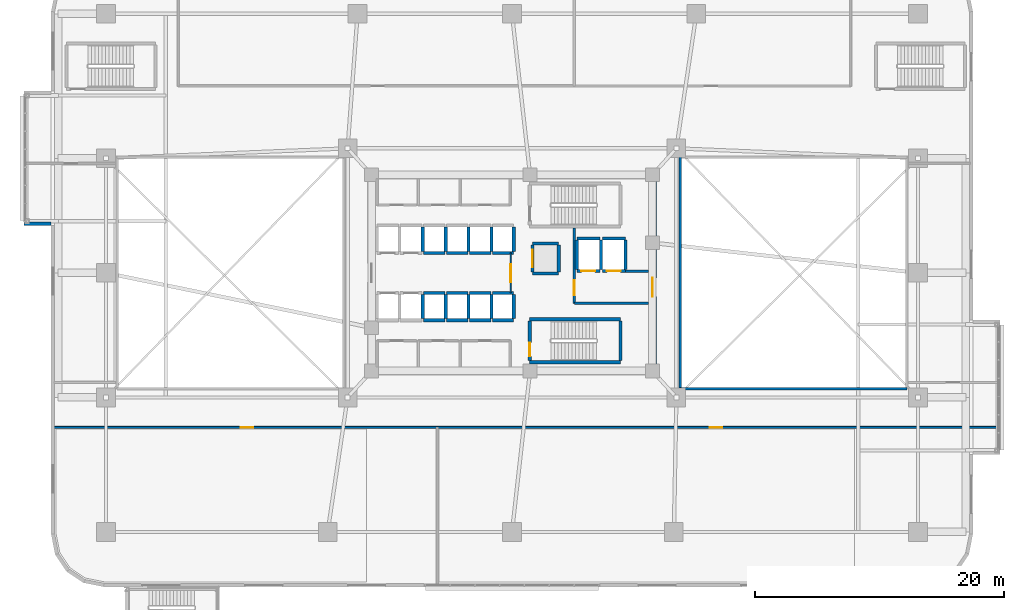
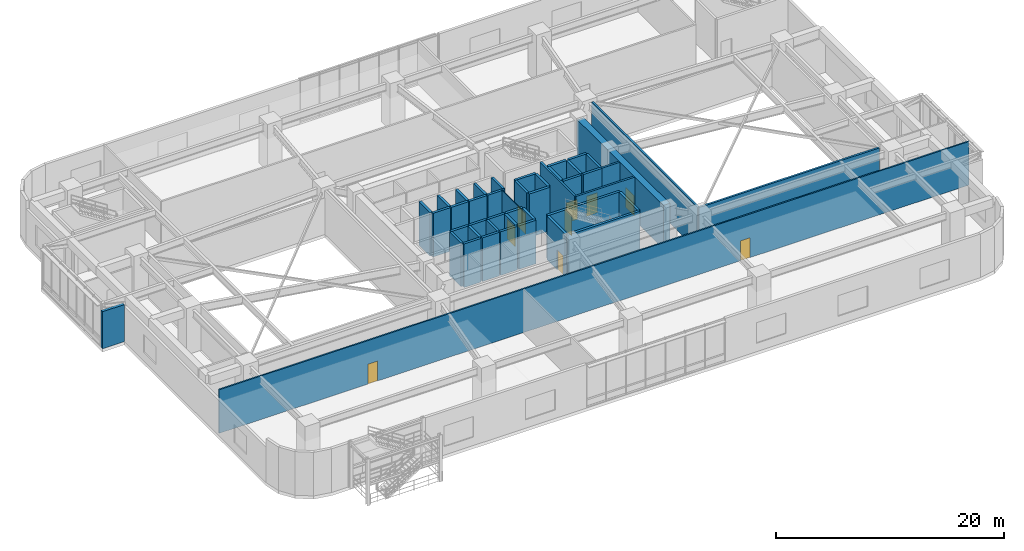
# One storey, part 16 of 24: 46 walls, 9 doors, 9 openings.
"""IFC4 building model written with IfcOpenShell, lengths in metres."""

from ifc_helpers import new_model, si_unit, direction, frame, frame_2d, origin, place, context, subcontext, project, spatial, rectangle, extrude, material, layer, layer_set, type_object, element, fill, save


model = new_model("IFC4")

# Units and contexts
model_context = context("Model", 3, precision=1e-05, world=origin(), true_north=direction((0.0, 1.0)))
body_context = subcontext(model_context, "Body", "Model", "MODEL_VIEW")
ifc_project = project(units=[si_unit("LENGTHUNIT", "METRE"), si_unit("AREAUNIT", "SQUARE_METRE"), si_unit("VOLUMEUNIT", "CUBIC_METRE"), si_unit("PLANEANGLEUNIT", "RADIAN"), si_unit("MASSUNIT", "GRAM", prefix="KILO")], contexts=[model_context])

# Site, building, storey
site_placement = place(None, origin())
site = spatial("IfcSite", under=ifc_project, at=site_placement, CompositionType="ELEMENT")
building_placement = place(site_placement, origin())
building = spatial("IfcBuilding", under=site, at=building_placement, Name="Zulverin Broadcast Headquarters", CompositionType="ELEMENT")
storey_placement = place(building_placement, frame((0.0, 0.0, 5.0)))
storey = spatial("IfcBuildingStorey", under=building, at=storey_placement, Name="L01", CompositionType="ELEMENT", Elevation=5.0)

# Walls
ifc_material_1 = material(Name="Acoustic drywall steel stud", Category="steel")
ifc_layer_1 = layer(ifc_material_1, 0.199951171875, Name="Acoustic drywall steel stud", Category="steel")
ifc_layer_set_1 = layer_set([ifc_layer_1], Name="Acoustic drywall steel stud")
wall_type_1 = type_object("IfcWallType", Name="WL-ACOU-200", PredefinedType="PARTITIONING", material=ifc_layer_set_1)
wall_1_placement = place(storey_placement, frame((50.5, 15.89990234375, 0.0), z_axis=(0.0, 0.0, 1.0), x_axis=(0.0, 1.0, 0.0)))
element("IfcWall", 1, at=wall_1_placement, inside=storey, type_object=wall_type_1, Name="L01 EAST Studio Void W Wall", PredefinedType="PARTITIONING", context=body_context, shape_type="SweptSolid", body=[
    extrude(rectangle(XDim=18.60009765625, YDim=0.199951171875, at=frame_2d((9.300048828125, 0.0))), origin(), (0.0, 0.0, 1.0), 4.659912109375),
])
wall_2_placement = place(storey_placement, frame((50.5, 15.89990234375, 0.0), z_axis=(0.0, 0.0, 1.0), x_axis=(1.0, 0.0, 0.0)))
element("IfcWall", 2, at=wall_2_placement, inside=storey, type_object=wall_type_1, Name="L01 EAST Studio Void S Wall", PredefinedType="PARTITIONING", context=body_context, shape_type="SweptSolid", body=[
    extrude(rectangle(XDim=18.199951171875, YDim=0.199951171875, at=frame_2d((9.10009765625, 0.0))), origin(), (0.0, 0.0, 1.0), 4.659912109375),
])

# Wall, opening, door
ifc_material_2 = material(Name="Concrete C60/75", Category="concrete")
ifc_layer_2 = layer(ifc_material_2, 0.64990234375, Name="Concrete C60/75", Category="concrete")
ifc_layer_set_2 = layer_set([ifc_layer_2], Name="Concrete C60/75")
wall_type_2 = type_object("IfcWallType", Name="WL-CORE-650", PredefinedType="SHEAR", material=ifc_layer_set_2)
wall_3_placement = place(storey_placement, frame((48.27490234375, 17.64990234375, 0.0), z_axis=(0.0, 0.0, 1.0), x_axis=(0.0, 1.0, 0.0)))
wall_3 = element("IfcWall", 3, at=wall_3_placement, inside=storey, type_object=wall_type_2, Name="L01 Core East Shear Wall", PredefinedType="SHEAR", context=body_context, shape_type="SweptSolid", body=[
    extrude(rectangle(XDim=15.10009765625, YDim=0.64990234375, at=frame_2d((7.550048828125, 0.0))), origin(), (0.0, 0.0, 1.0), 4.659912109375),
])
opening_1_placement = place(wall_3_placement, frame((5.64990234375, 0.0, 0.0)))
opening_1 = element("IfcOpeningElement", 4, at=opening_1_placement, cuts=wall_3, Name="Opening D-L01-CE1", PredefinedType="OPENING", context=body_context, shape_type="SweptSolid", body=[
    extrude(rectangle(XDim=1.5, YDim=2.14990234375, at=frame_2d((0.75, 1.074951171875))), frame((0.0, 0.3349609375, 0.0), z_axis=(0.0, -1.0, 0.0), x_axis=(1.0, 0.0, 0.0)), (0.0, 0.0, 1.0), 0.669921875),
])
ifc_material_3 = material(Name="Fire-rated glazed steel frame", Category="steel")
door_type_1 = type_object("IfcDoorType", Name="DR-COR-1500", OperationType="DOUBLE_DOOR_SINGLE_SWING", PredefinedType="DOOR", material=ifc_material_3)
door_1_placement = place(opening_1_placement, origin())
door_1 = element("IfcDoor", 5, at=door_1_placement, inside=storey, type_object=door_type_1, Name="L01 Firefighting Lobby East Corridor Door", OperationType="DOUBLE_DOOR_SINGLE_SWING", OverallHeight=2.14990234375, OverallWidth=1.5, PredefinedType="DOOR", context=body_context, shape_type="SweptSolid", body=[
    extrude(rectangle(XDim=1.5, YDim=2.14990234375, at=frame_2d((0.75, 1.074951171875))), frame((0.0, 0.02490234375, 0.0), z_axis=(0.0, -1.0, 0.0), x_axis=(1.0, 0.0, 0.0)), (0.0, 0.0, 1.0), 0.050048828125),
])
fill(opening_1, door_1)

# Wall
ifc_material_4 = material(Name="Insulated pale-metal clad concrete spandrel C40/50", Category="concrete")
ifc_layer_3 = layer(ifc_material_4, 0.280029296875, Name="Insulated pale-metal clad concrete spandrel C40/50", Category="concrete")
ifc_layer_set_3 = layer_set([ifc_layer_3], Name="Insulated pale-metal clad concrete spandrel C40/50")
wall_type_3 = type_object("IfcWallType", Name="WL-EXT-280", PredefinedType="STANDARD", material=ifc_layer_set_3)
wall_4_placement = place(storey_placement, frame((-2.199951171875, 29.139892578125, 0.0), z_axis=(0.0, 0.0, 1.0), x_axis=(1.0, 0.0, 0.0)))
element("IfcWall", 6, at=wall_4_placement, inside=storey, type_object=wall_type_3, Name="L01 Shifted Studio Box Cheek Wall SBOX_POD_LOWER_W1-S", PredefinedType="STANDARD", context=body_context, shape_type="SweptSolid", body=[
    extrude(rectangle(XDim=2.199951171875, YDim=0.280029296875, at=frame_2d((1.10009765625, 0.0))), origin(), (0.0, 0.0, 1.0), 3.967041015625),
])

# Wall, opening, door
ifc_material_5 = material(Name="Concrete C40/50", Category="concrete")
ifc_layer_4 = layer(ifc_material_5, 0.199951171875, Name="Concrete C40/50", Category="concrete")
ifc_layer_set_4 = layer_set([ifc_layer_4], Name="Concrete C40/50")
wall_type_4 = type_object("IfcWallType", Name="WL-FFL-200", PredefinedType="SOLIDWALL", material=ifc_layer_set_4)
wall_5_placement = place(storey_placement, frame((42.0, 22.75, 0.0), z_axis=(0.0, 0.0, 1.0), x_axis=(0.0, 1.0, 0.0)))
wall_5 = element("IfcWall", 7, at=wall_5_placement, inside=storey, type_object=wall_type_4, Name="L01 Firefighting Lift Lobby West Wall", PredefinedType="SOLIDWALL", context=body_context, shape_type="SweptSolid", body=[
    extrude(rectangle(XDim=6.050048828125, YDim=0.199951171875, at=frame_2d((3.02490234375, 0.0))), origin(), (0.0, 0.0, 1.0), 4.659912109375),
])
opening_2_placement = place(wall_5_placement, frame((0.64990234375, 0.0, 0.0)))
opening_2 = element("IfcOpeningElement", 8, at=opening_2_placement, cuts=wall_5, Name="Opening D-L01-FFLW", PredefinedType="OPENING", context=body_context, shape_type="SweptSolid", body=[
    extrude(rectangle(XDim=1.199951171875, YDim=2.14990234375, at=frame_2d((0.60009765625, 1.074951171875))), frame((0.0, 0.10986328125, 0.0), z_axis=(0.0, -1.0, 0.0), x_axis=(1.0, 0.0, 0.0)), (0.0, 0.0, 1.0), 0.219970703125),
])
ifc_material_6 = material(Name="Fire-rated steel leaf and frame", Category="steel")
door_type_2 = type_object("IfcDoorType", Name="DR-FFL-1200", OperationType="SINGLE_SWING_RIGHT", PredefinedType="DOOR", material=ifc_material_6)
door_2_placement = place(opening_2_placement, origin())
door_2 = element("IfcDoor", 9, at=door_2_placement, inside=storey, type_object=door_type_2, Name="L01 Firefighting Lift Lobby Door", OperationType="SINGLE_SWING_RIGHT", OverallHeight=2.14990234375, OverallWidth=1.199951171875, PredefinedType="DOOR", context=body_context, shape_type="SweptSolid", body=[
    extrude(rectangle(XDim=1.199951171875, YDim=2.14990234375, at=frame_2d((0.60009765625, 1.074951171875))), frame((0.0, 0.02490234375, 0.0), z_axis=(0.0, -1.0, 0.0), x_axis=(1.0, 0.0, 0.0)), (0.0, 0.0, 1.0), 0.050048828125),
])
fill(opening_2, door_2)

# Walls
wall_6_placement = place(storey_placement, frame((42.0, 22.75, 0.0), z_axis=(0.0, 0.0, 1.0), x_axis=(1.0, 0.0, 0.0)))
element("IfcWall", 10, at=wall_6_placement, inside=storey, type_object=wall_type_4, Name="L01 Firefighting Lift Lobby South Wall", PredefinedType="SOLIDWALL", context=body_context, shape_type="SweptSolid", body=[
    extrude(rectangle(XDim=5.949951171875, YDim=0.199951171875, at=frame_2d((2.97509765625, 0.0))), origin(), (0.0, 0.0, 1.0), 4.659912109375),
])
wall_7_placement = place(storey_placement, frame((46.10009765625, 25.35009765625, 0.0), z_axis=(0.0, 0.0, 1.0), x_axis=(1.0, 0.0, 0.0)))
element("IfcWall", 11, at=wall_7_placement, inside=storey, type_object=wall_type_4, Name="L01 Firefighting Lift Lobby North Wall", PredefinedType="SOLIDWALL", context=body_context, shape_type="SweptSolid", body=[
    extrude(rectangle(XDim=1.849853515625, YDim=0.199951171875, at=frame_2d((0.9248046875, 0.0))), origin(), (0.0, 0.0, 1.0), 4.659912109375),
])

# Wall, opening, door
ifc_material_7 = material(Name="Fire-rated acoustic laminated glass screen", Category="glass")
ifc_layer_5 = layer(ifc_material_7, 0.10009765625, Name="Fire-rated acoustic laminated glass screen", Category="glass")
ifc_layer_set_5 = layer_set([ifc_layer_5], Name="Fire-rated acoustic laminated glass screen")
wall_type_5 = type_object("IfcWallType", Name="WL-GLAZ-100", PredefinedType="PARTITIONING", material=ifc_layer_set_5)
wall_8_placement = place(storey_placement, frame((36.89990234375, 23.60009765625, 0.0), z_axis=(0.0, 0.0, 1.0), x_axis=(0.0, 1.0, 0.0)))
wall_8 = element("IfcWall", 12, at=wall_8_placement, inside=storey, type_object=wall_type_5, Name="L01 Core Goods & Stair Hall Screen", PredefinedType="PARTITIONING", context=body_context, shape_type="SweptSolid", body=[
    extrude(rectangle(XDim=3.199951171875, YDim=0.10009765625, at=frame_2d((1.60009765625, 0.0))), origin(), (0.0, 0.0, 1.0), 4.659912109375),
])
opening_3_placement = place(wall_8_placement, frame((0.85009765625, 0.0, 0.0)))
opening_3 = element("IfcOpeningElement", 13, at=opening_3_placement, cuts=wall_8, Name="Opening D-L01-CL3", PredefinedType="OPENING", context=body_context, shape_type="SweptSolid", body=[
    extrude(rectangle(XDim=1.449951171875, YDim=2.1201171875, at=frame_2d((0.72509765625, 1.06005859375))), frame((0.0, 0.06005859375, 0.0), z_axis=(0.0, -1.0, 0.0), x_axis=(1.0, 0.0, 0.0)), (0.0, 0.0, 1.0), 0.1201171875),
])
ifc_material_8 = material(Name="Fire-rated acoustic glazed double leaf", Category="glass")
door_type_3 = type_object("IfcDoorType", Name="DR-GLZ-1450", OperationType="DOUBLE_DOOR_SINGLE_SWING", PredefinedType="DOOR", material=ifc_material_8)
door_3_placement = place(opening_3_placement, origin())
door_3 = element("IfcDoor", 14, at=door_3_placement, inside=storey, type_object=door_type_3, Name="L01 Core Goods & Stair Hall Door", OperationType="DOUBLE_DOOR_SINGLE_SWING", OverallHeight=2.1201171875, OverallWidth=1.449951171875, PredefinedType="DOOR", context=body_context, shape_type="SweptSolid", body=[
    extrude(rectangle(XDim=1.449951171875, YDim=2.1201171875, at=frame_2d((0.72509765625, 1.06005859375))), frame((0.0, 0.02490234375, 0.0), z_axis=(0.0, -1.0, 0.0), x_axis=(1.0, 0.0, 0.0)), (0.0, 0.0, 1.0), 0.050048828125),
])
fill(opening_3, door_3)

# Wall, openings, doors
ifc_material_9 = material(Name="Fire-rated gypsum stud partition", Category="gypsum")
ifc_layer_6 = layer(ifc_material_9, 0.14990234375, Name="Fire-rated gypsum stud partition", Category="gypsum")
ifc_layer_set_6 = layer_set([ifc_layer_6], Name="Fire-rated gypsum stud partition")
wall_type_6 = type_object("IfcWallType", Name="WL-PART-150", PredefinedType="PARTITIONING", material=ifc_layer_set_6)
wall_9_placement = place(storey_placement, frame((0.205078125, 12.800048828125, 0.0), z_axis=(0.0, 0.0, 1.0), x_axis=(1.0, 0.0, 0.0)))
wall_9 = element("IfcWall", 15, at=wall_9_placement, inside=storey, type_object=wall_type_6, Name="L01 Gallery Partition Wall CG-07", PredefinedType="PARTITIONING", context=body_context, shape_type="SweptSolid", body=[
    extrude(rectangle(XDim=75.7900390625, YDim=0.14990234375, at=frame_2d((37.89501953125, 0.0))), origin(), (0.0, 0.0, 1.0), 4.659912109375),
])
opening_4_placement = place(wall_9_placement, frame((15.017578125, 0.0, 0.0)))
opening_4 = element("IfcOpeningElement", 16, at=opening_4_placement, cuts=wall_9, Name="Opening D-L01-SOUTH1", PredefinedType="OPENING", context=body_context, shape_type="SweptSolid", body=[
    extrude(rectangle(XDim=1.0, YDim=2.1201171875, at=frame_2d((0.5, 1.06005859375))), frame((0.0, 0.0849609375, 0.0), z_axis=(0.0, -1.0, 0.0), x_axis=(1.0, 0.0, 0.0)), (0.0, 0.0, 1.0), 0.169921875),
])
opening_5_placement = place(wall_9_placement, frame((52.672607421875, 0.0, 0.0)))
opening_5 = element("IfcOpeningElement", 17, at=opening_5_placement, cuts=wall_9, Name="Opening D-L01-SOUTH2", PredefinedType="OPENING", context=body_context, shape_type="SweptSolid", body=[
    extrude(rectangle(XDim=1.0, YDim=2.1201171875, at=frame_2d((0.5, 1.06005859375))), frame((0.0, 0.0849609375, 0.0), z_axis=(0.0, -1.0, 0.0), x_axis=(1.0, 0.0, 0.0)), (0.0, 0.0, 1.0), 0.169921875),
])
ifc_material_10 = material(Name="Hardwood veneer acoustic leaf", Category="wood")
door_type_4 = type_object("IfcDoorType", Name="DR-OFF-1000", OperationType="SINGLE_SWING_LEFT", PredefinedType="DOOR", material=ifc_material_10)
door_4_placement = place(opening_4_placement, origin())
door_4 = element("IfcDoor", 18, at=door_4_placement, inside=storey, type_object=door_type_4, Name="L01 Post-Production Editing Suite Door", OperationType="SINGLE_SWING_RIGHT", OverallHeight=2.1201171875, OverallWidth=1.0, PredefinedType="DOOR", context=body_context, shape_type="SweptSolid", body=[
    extrude(rectangle(XDim=1.0, YDim=2.1201171875, at=frame_2d((0.5, 1.06005859375))), frame((0.0, 0.02490234375, 0.0), z_axis=(0.0, -1.0, 0.0), x_axis=(1.0, 0.0, 0.0)), (0.0, 0.0, 1.0), 0.050048828125),
])
fill(opening_4, door_4)
door_5_placement = place(opening_5_placement, origin())
door_5 = element("IfcDoor", 19, at=door_5_placement, inside=storey, type_object=door_type_4, Name="L01 Master Control & Sound Mixing Room Door", OperationType="SINGLE_SWING_LEFT", OverallHeight=2.1201171875, OverallWidth=1.0, PredefinedType="DOOR", context=body_context, shape_type="SweptSolid", body=[
    extrude(rectangle(XDim=1.0, YDim=2.1201171875, at=frame_2d((0.5, 1.06005859375))), frame((0.0, 0.02490234375, 0.0), z_axis=(0.0, -1.0, 0.0), x_axis=(1.0, 0.0, 0.0)), (0.0, 0.0, 1.0), 0.050048828125),
])
fill(opening_5, door_5)

# Walls
ifc_material_11 = material(Name="Concrete C50/60", Category="concrete")
ifc_layer_7 = layer(ifc_material_11, 0.25, Name="Concrete C50/60", Category="concrete")
ifc_layer_set_7 = layer_set([ifc_layer_7], Name="Concrete C50/60")
wall_type_7 = type_object("IfcWallType", Name="WL-SHAFT-250", PredefinedType="SHEAR", material=ifc_layer_set_7)
for number, where, z_axis, x_axis, name in (
    (20, (38.425048828125, 18.02490234375, 0.0), (0.0, 0.0, 1.0), (1.0, 0.0, 0.0), "L01 ST-2 Enclosure Wall S"),
    (21, (38.425048828125, 21.47509765625, 0.0), (0.0, 0.0, 1.0), (1.0, 0.0, 0.0), "L01 ST-2 Enclosure Wall N"),
):
    element("IfcWall", number, at=place(storey_placement, frame(where, z_axis=z_axis, x_axis=x_axis)), inside=storey, type_object=wall_type_7, Name=name, PredefinedType="SHEAR", context=body_context, shape_type="SweptSolid", body=[
        extrude(rectangle(XDim=7.300048828125, YDim=0.25, at=frame_2d((3.64990234375, 0.0))), origin(), (0.0, 0.0, 1.0), 4.659912109375),
    ])

# Wall, opening, door
wall_10_placement = place(storey_placement, frame((38.425048828125, 18.14990234375, 0.0), z_axis=(0.0, 0.0, 1.0), x_axis=(0.0, 1.0, 0.0)))
wall_10 = element("IfcWall", 22, at=wall_10_placement, inside=storey, type_object=wall_type_7, Name="L01 ST-2 Enclosure Wall W", PredefinedType="SHEAR", context=body_context, shape_type="SweptSolid", body=[
    extrude(rectangle(XDim=3.2001953125, YDim=0.25, at=frame_2d((1.60009765625, 0.0))), origin(), (0.0, 0.0, 1.0), 4.659912109375),
])
opening_6_placement = place(wall_10_placement, frame((0.35009765625, 0.0, 0.0)))
opening_6 = element("IfcOpeningElement", 23, at=opening_6_placement, cuts=wall_10, Name="Opening D-L01-ST-2", PredefinedType="OPENING", context=body_context, shape_type="SweptSolid", body=[
    extrude(rectangle(XDim=1.10009765625, YDim=2.14990234375, at=frame_2d((0.550048828125, 1.074951171875))), frame((0.0, 0.135009765625, 0.0), z_axis=(0.0, -1.0, 0.0), x_axis=(1.0, 0.0, 0.0)), (0.0, 0.0, 1.0), 0.27001953125),
])
door_type_5 = type_object("IfcDoorType", Name="DR-STAIR-1100", OperationType="SINGLE_SWING_LEFT", PredefinedType="DOOR", material=ifc_material_6)
door_6_placement = place(opening_6_placement, origin())
door_6 = element("IfcDoor", 24, at=door_6_placement, inside=storey, type_object=door_type_5, Name="L01 Exit Stair ST-2 Fire Door", OperationType="SINGLE_SWING_RIGHT", OverallHeight=2.14990234375, OverallWidth=1.10009765625, PredefinedType="DOOR", context=body_context, shape_type="SweptSolid", body=[
    extrude(rectangle(XDim=1.10009765625, YDim=2.14990234375, at=frame_2d((0.550048828125, 1.074951171875))), frame((0.0, 0.02490234375, 0.0), z_axis=(0.0, -1.0, 0.0), x_axis=(1.0, 0.0, 0.0)), (0.0, 0.0, 1.0), 0.050048828125),
])
fill(opening_6, door_6)

# Walls
wall_11_placement = place(storey_placement, frame((45.72509765625, 18.14990234375, 0.0), z_axis=(0.0, 0.0, 1.0), x_axis=(0.0, 1.0, 0.0)))
element("IfcWall", 25, at=wall_11_placement, inside=storey, type_object=wall_type_7, Name="L01 ST-2 Enclosure Wall E", PredefinedType="SHEAR", context=body_context, shape_type="SweptSolid", body=[
    extrude(rectangle(XDim=3.2001953125, YDim=0.25, at=frame_2d((1.60009765625, 0.0))), origin(), (0.0, 0.0, 1.0), 4.659912109375),
])
for number, where, z_axis, x_axis, name in (
    (26, (29.8349609375, 26.919921875, 0.0), (0.0, 0.0, 1.0), (0.0, 1.0, 0.0), "L01 Lift PL-L2 Shaft Wall E"),
    (27, (29.8349609375, 21.52001953125, 0.0), (0.0, 0.0, 1.0), (0.0, 1.0, 0.0), "L01 Lift PL-L4 Shaft Wall E"),
):
    element("IfcWall", number, at=place(storey_placement, frame(where, z_axis=z_axis, x_axis=x_axis)), inside=storey, type_object=wall_type_7, Name=name, PredefinedType="SHEAR", context=body_context, shape_type="SweptSolid", body=[
        extrude(rectangle(XDim=1.9599609375, YDim=0.25, at=frame_2d((0.97998046875, 0.0))), origin(), (0.0, 0.0, 1.0), 4.659912109375),
    ])
for number, where, z_axis, x_axis, name in (
    (28, (29.89990234375, 21.39990234375, 0.0), (0.0, 0.0, 1.0), (1.0, 0.0, 0.0), "L01 Lift PL-M1 Shaft Wall S"),
    (29, (29.89990234375, 23.60009765625, 0.0), (0.0, 0.0, 1.0), (1.0, 0.0, 0.0), "L01 Lift PL-M1 Shaft Wall N"),
):
    element("IfcWall", number, at=place(storey_placement, frame(where, z_axis=z_axis, x_axis=x_axis)), inside=storey, type_object=wall_type_7, Name=name, PredefinedType="SHEAR", context=body_context, shape_type="SweptSolid", body=[
        extrude(rectangle(XDim=1.72021484375, YDim=0.25, at=frame_2d((0.860107421875, 0.0))), origin(), (0.0, 0.0, 1.0), 4.659912109375),
    ])
wall_12_placement = place(storey_placement, frame((31.679931640625, 21.52001953125, 0.0), z_axis=(0.0, 0.0, 1.0), x_axis=(0.0, 1.0, 0.0)))
element("IfcWall", 30, at=wall_12_placement, inside=storey, type_object=wall_type_7, Name="L01 Lift PL-M1 Shaft Wall E", PredefinedType="SHEAR", context=body_context, shape_type="SweptSolid", body=[
    extrude(rectangle(XDim=1.9599609375, YDim=0.25, at=frame_2d((0.97998046875, 0.0))), origin(), (0.0, 0.0, 1.0), 4.659912109375),
])
for number, where, z_axis, x_axis, name in (
    (31, (31.739990234375, 21.39990234375, 0.0), (0.0, 0.0, 1.0), (1.0, 0.0, 0.0), "L01 Lift PL-M2 Shaft Wall S"),
    (32, (31.739990234375, 23.60009765625, 0.0), (0.0, 0.0, 1.0), (1.0, 0.0, 0.0), "L01 Lift PL-M2 Shaft Wall N"),
):
    element("IfcWall", number, at=place(storey_placement, frame(where, z_axis=z_axis, x_axis=x_axis)), inside=storey, type_object=wall_type_7, Name=name, PredefinedType="SHEAR", context=body_context, shape_type="SweptSolid", body=[
        extrude(rectangle(XDim=1.719970703125, YDim=0.25, at=frame_2d((0.85986328125, 0.0))), origin(), (0.0, 0.0, 1.0), 4.659912109375),
    ])
wall_13_placement = place(storey_placement, frame((33.52001953125, 21.52001953125, 0.0), z_axis=(0.0, 0.0, 1.0), x_axis=(0.0, 1.0, 0.0)))
element("IfcWall", 33, at=wall_13_placement, inside=storey, type_object=wall_type_7, Name="L01 Lift PL-M2 Shaft Wall E", PredefinedType="SHEAR", context=body_context, shape_type="SweptSolid", body=[
    extrude(rectangle(XDim=1.9599609375, YDim=0.25, at=frame_2d((0.97998046875, 0.0))), origin(), (0.0, 0.0, 1.0), 4.659912109375),
])
for number, where, z_axis, x_axis, name in (
    (34, (33.580078125, 21.39990234375, 0.0), (0.0, 0.0, 1.0), (1.0, 0.0, 0.0), "L01 Lift PL-M3 Shaft Wall S"),
    (35, (33.580078125, 23.60009765625, 0.0), (0.0, 0.0, 1.0), (1.0, 0.0, 0.0), "L01 Lift PL-M3 Shaft Wall N"),
):
    element("IfcWall", number, at=place(storey_placement, frame(where, z_axis=z_axis, x_axis=x_axis)), inside=storey, type_object=wall_type_7, Name=name, PredefinedType="SHEAR", context=body_context, shape_type="SweptSolid", body=[
        extrude(rectangle(XDim=1.719970703125, YDim=0.25, at=frame_2d((0.85986328125, 0.0))), origin(), (0.0, 0.0, 1.0), 4.659912109375),
    ])
wall_14_placement = place(storey_placement, frame((35.360107421875, 21.52001953125, 0.0), z_axis=(0.0, 0.0, 1.0), x_axis=(0.0, 1.0, 0.0)))
element("IfcWall", 36, at=wall_14_placement, inside=storey, type_object=wall_type_7, Name="L01 Lift PL-M3 Shaft Wall E", PredefinedType="SHEAR", context=body_context, shape_type="SweptSolid", body=[
    extrude(rectangle(XDim=1.9599609375, YDim=0.25, at=frame_2d((0.97998046875, 0.0))), origin(), (0.0, 0.0, 1.0), 4.659912109375),
])
for number, where, z_axis, x_axis, name in (
    (37, (35.419921875, 21.39990234375, 0.0), (0.0, 0.0, 1.0), (1.0, 0.0, 0.0), "L01 Lift PL-M4 Shaft Wall S"),
    (38, (35.419921875, 23.60009765625, 0.0), (0.0, 0.0, 1.0), (1.0, 0.0, 0.0), "L01 Lift PL-M4 Shaft Wall N"),
):
    element("IfcWall", number, at=place(storey_placement, frame(where, z_axis=z_axis, x_axis=x_axis)), inside=storey, type_object=wall_type_7, Name=name, PredefinedType="SHEAR", context=body_context, shape_type="SweptSolid", body=[
        extrude(rectangle(XDim=1.719970703125, YDim=0.25, at=frame_2d((0.85986328125, 0.0))), origin(), (0.0, 0.0, 1.0), 4.659912109375),
    ])
wall_15_placement = place(storey_placement, frame((37.139892578125, 21.52001953125, 0.0), z_axis=(0.0, 0.0, 1.0), x_axis=(0.0, 1.0, 0.0)))
element("IfcWall", 39, at=wall_15_placement, inside=storey, type_object=wall_type_7, Name="L01 Lift PL-M4 Shaft Wall E", PredefinedType="SHEAR", context=body_context, shape_type="SweptSolid", body=[
    extrude(rectangle(XDim=1.9599609375, YDim=0.25, at=frame_2d((0.97998046875, 0.0))), origin(), (0.0, 0.0, 1.0), 4.659912109375),
])
wall_16_placement = place(storey_placement, frame((29.89990234375, 26.800048828125, 0.0), z_axis=(0.0, 0.0, 1.0), x_axis=(1.0, 0.0, 0.0)))
element("IfcWall", 40, at=wall_16_placement, inside=storey, type_object=wall_type_7, Name="L01 Lift PL-H1 Shaft Wall S", PredefinedType="SHEAR", context=body_context, shape_type="SweptSolid", body=[
    extrude(rectangle(XDim=1.72021484375, YDim=0.25, at=frame_2d((0.860107421875, 0.0))), origin(), (0.0, 0.0, 1.0), 4.659912109375),
])
wall_17_placement = place(storey_placement, frame((31.679931640625, 26.919921875, 0.0), z_axis=(0.0, 0.0, 1.0), x_axis=(0.0, 1.0, 0.0)))
element("IfcWall", 41, at=wall_17_placement, inside=storey, type_object=wall_type_7, Name="L01 Lift PL-H1 Shaft Wall E", PredefinedType="SHEAR", context=body_context, shape_type="SweptSolid", body=[
    extrude(rectangle(XDim=1.9599609375, YDim=0.25, at=frame_2d((0.97998046875, 0.0))), origin(), (0.0, 0.0, 1.0), 4.659912109375),
])
wall_18_placement = place(storey_placement, frame((31.739990234375, 26.800048828125, 0.0), z_axis=(0.0, 0.0, 1.0), x_axis=(1.0, 0.0, 0.0)))
element("IfcWall", 42, at=wall_18_placement, inside=storey, type_object=wall_type_7, Name="L01 Lift PL-H2 Shaft Wall S", PredefinedType="SHEAR", context=body_context, shape_type="SweptSolid", body=[
    extrude(rectangle(XDim=1.719970703125, YDim=0.25, at=frame_2d((0.85986328125, 0.0))), origin(), (0.0, 0.0, 1.0), 4.659912109375),
])
wall_19_placement = place(storey_placement, frame((33.52001953125, 26.919921875, 0.0), z_axis=(0.0, 0.0, 1.0), x_axis=(0.0, 1.0, 0.0)))
element("IfcWall", 43, at=wall_19_placement, inside=storey, type_object=wall_type_7, Name="L01 Lift PL-H2 Shaft Wall E", PredefinedType="SHEAR", context=body_context, shape_type="SweptSolid", body=[
    extrude(rectangle(XDim=1.9599609375, YDim=0.25, at=frame_2d((0.97998046875, 0.0))), origin(), (0.0, 0.0, 1.0), 4.659912109375),
])
wall_20_placement = place(storey_placement, frame((33.580078125, 26.800048828125, 0.0), z_axis=(0.0, 0.0, 1.0), x_axis=(1.0, 0.0, 0.0)))
element("IfcWall", 44, at=wall_20_placement, inside=storey, type_object=wall_type_7, Name="L01 Lift PL-H3 Shaft Wall S", PredefinedType="SHEAR", context=body_context, shape_type="SweptSolid", body=[
    extrude(rectangle(XDim=1.719970703125, YDim=0.25, at=frame_2d((0.85986328125, 0.0))), origin(), (0.0, 0.0, 1.0), 4.659912109375),
])
wall_21_placement = place(storey_placement, frame((35.360107421875, 26.919921875, 0.0), z_axis=(0.0, 0.0, 1.0), x_axis=(0.0, 1.0, 0.0)))
element("IfcWall", 45, at=wall_21_placement, inside=storey, type_object=wall_type_7, Name="L01 Lift PL-H3 Shaft Wall E", PredefinedType="SHEAR", context=body_context, shape_type="SweptSolid", body=[
    extrude(rectangle(XDim=1.9599609375, YDim=0.25, at=frame_2d((0.97998046875, 0.0))), origin(), (0.0, 0.0, 1.0), 4.659912109375),
])
wall_22_placement = place(storey_placement, frame((35.419921875, 26.800048828125, 0.0), z_axis=(0.0, 0.0, 1.0), x_axis=(1.0, 0.0, 0.0)))
element("IfcWall", 46, at=wall_22_placement, inside=storey, type_object=wall_type_7, Name="L01 Lift PL-H4 Shaft Wall S", PredefinedType="SHEAR", context=body_context, shape_type="SweptSolid", body=[
    extrude(rectangle(XDim=1.719970703125, YDim=0.25, at=frame_2d((0.85986328125, 0.0))), origin(), (0.0, 0.0, 1.0), 4.659912109375),
])
wall_23_placement = place(storey_placement, frame((37.139892578125, 26.919921875, 0.0), z_axis=(0.0, 0.0, 1.0), x_axis=(0.0, 1.0, 0.0)))
element("IfcWall", 47, at=wall_23_placement, inside=storey, type_object=wall_type_7, Name="L01 Lift PL-H4 Shaft Wall E", PredefinedType="SHEAR", context=body_context, shape_type="SweptSolid", body=[
    extrude(rectangle(XDim=1.9599609375, YDim=0.25, at=frame_2d((0.97998046875, 0.0))), origin(), (0.0, 0.0, 1.0), 4.659912109375),
])

# Wall, opening, door
wall_24_placement = place(storey_placement, frame((42.199951171875, 25.35009765625, 0.0), z_axis=(0.0, 0.0, 1.0), x_axis=(1.0, 0.0, 0.0)))
wall_24 = element("IfcWall", 48, at=wall_24_placement, inside=storey, type_object=wall_type_7, Name="L01 Lift FFL-1 Shaft Wall S", PredefinedType="SHEAR", context=body_context, shape_type="SweptSolid", body=[
    extrude(rectangle(XDim=1.85009765625, YDim=0.25, at=frame_2d((0.925048828125, 0.0))), origin(), (0.0, 0.0, 1.0), 4.659912109375),
])
opening_7_placement = place(wall_24_placement, frame((0.375, 0.0, 0.0)))
opening_7 = element("IfcOpeningElement", 49, at=opening_7_placement, cuts=wall_24, Name="Opening LD-FFL-1-L01", PredefinedType="OPENING", context=body_context, shape_type="SweptSolid", body=[
    extrude(rectangle(XDim=1.10009765625, YDim=2.14990234375, at=frame_2d((0.550048828125, 1.074951171875))), frame((0.0, 0.135009765625, 0.0), z_axis=(0.0, -1.0, 0.0), x_axis=(1.0, 0.0, 0.0)), (0.0, 0.0, 1.0), 0.27001953125),
])
ifc_material_12 = material(Name="Fire-rated stainless landing door", Category="steel")
door_type_6 = type_object("IfcDoorType", Name="LD-FFL-1100", OperationType="DOUBLE_DOOR_SLIDING", PredefinedType="DOOR", material=ifc_material_12)
door_7_placement = place(opening_7_placement, origin())
door_7 = element("IfcDoor", 50, at=door_7_placement, inside=storey, type_object=door_type_6, Name="L01 Lift FFL-1 Sliding Landing Door", OperationType="DOUBLE_DOOR_SLIDING", OverallHeight=2.14990234375, OverallWidth=1.10009765625, PredefinedType="DOOR", context=body_context, shape_type="SweptSolid", body=[
    extrude(rectangle(XDim=1.10009765625, YDim=2.14990234375, at=frame_2d((0.550048828125, 1.074951171875))), frame((0.0, 0.02490234375, 0.0), z_axis=(0.0, -1.0, 0.0), x_axis=(1.0, 0.0, 0.0)), (0.0, 0.0, 1.0), 0.050048828125),
])
fill(opening_7, door_7)

# Walls
wall_25_placement = place(storey_placement, frame((42.199951171875, 27.949951171875, 0.0), z_axis=(0.0, 0.0, 1.0), x_axis=(1.0, 0.0, 0.0)))
element("IfcWall", 51, at=wall_25_placement, inside=storey, type_object=wall_type_7, Name="L01 Lift FFL-1 Shaft Wall N", PredefinedType="SHEAR", context=body_context, shape_type="SweptSolid", body=[
    extrude(rectangle(XDim=1.85009765625, YDim=0.25, at=frame_2d((0.925048828125, 0.0))), origin(), (0.0, 0.0, 1.0), 4.659912109375),
])
for number, where, z_axis, x_axis, name in (
    (52, (42.199951171875, 25.469970703125, 0.0), (0.0, 0.0, 1.0), (0.0, 1.0, 0.0), "L01 Lift FFL-1 Shaft Wall W"),
    (53, (44.14990234375, 25.469970703125, 0.0), (0.0, 0.0, 1.0), (0.0, 1.0, 0.0), "L01 Lift FFL-1 Shaft Wall E"),
):
    element("IfcWall", number, at=place(storey_placement, frame(where, z_axis=z_axis, x_axis=x_axis)), inside=storey, type_object=wall_type_7, Name=name, PredefinedType="SHEAR", context=body_context, shape_type="SweptSolid", body=[
        extrude(rectangle(XDim=2.360107421875, YDim=0.25, at=frame_2d((1.18017578125, 0.0))), origin(), (0.0, 0.0, 1.0), 4.659912109375),
    ])

# Wall, opening, door
wall_26_placement = place(storey_placement, frame((44.25, 25.35009765625, 0.0), z_axis=(0.0, 0.0, 1.0), x_axis=(1.0, 0.0, 0.0)))
wall_26 = element("IfcWall", 54, at=wall_26_placement, inside=storey, type_object=wall_type_7, Name="L01 Lift FFL-2 Shaft Wall S", PredefinedType="SHEAR", context=body_context, shape_type="SweptSolid", body=[
    extrude(rectangle(XDim=1.85009765625, YDim=0.25, at=frame_2d((0.925048828125, 0.0))), origin(), (0.0, 0.0, 1.0), 4.659912109375),
])
opening_8_placement = place(wall_26_placement, frame((0.375, 0.0, 0.0)))
opening_8 = element("IfcOpeningElement", 55, at=opening_8_placement, cuts=wall_26, Name="Opening LD-FFL-2-L01", PredefinedType="OPENING", context=body_context, shape_type="SweptSolid", body=[
    extrude(rectangle(XDim=1.10009765625, YDim=2.14990234375, at=frame_2d((0.550048828125, 1.074951171875))), frame((0.0, 0.135009765625, 0.0), z_axis=(0.0, -1.0, 0.0), x_axis=(1.0, 0.0, 0.0)), (0.0, 0.0, 1.0), 0.27001953125),
])
door_8_placement = place(opening_8_placement, origin())
door_8 = element("IfcDoor", 56, at=door_8_placement, inside=storey, type_object=door_type_6, Name="L01 Lift FFL-2 Sliding Landing Door", OperationType="DOUBLE_DOOR_SLIDING", OverallHeight=2.14990234375, OverallWidth=1.10009765625, PredefinedType="DOOR", context=body_context, shape_type="SweptSolid", body=[
    extrude(rectangle(XDim=1.10009765625, YDim=2.14990234375, at=frame_2d((0.550048828125, 1.074951171875))), frame((0.0, 0.02490234375, 0.0), z_axis=(0.0, -1.0, 0.0), x_axis=(1.0, 0.0, 0.0)), (0.0, 0.0, 1.0), 0.050048828125),
])
fill(opening_8, door_8)

# Walls
wall_27_placement = place(storey_placement, frame((44.25, 27.949951171875, 0.0), z_axis=(0.0, 0.0, 1.0), x_axis=(1.0, 0.0, 0.0)))
element("IfcWall", 57, at=wall_27_placement, inside=storey, type_object=wall_type_7, Name="L01 Lift FFL-2 Shaft Wall N", PredefinedType="SHEAR", context=body_context, shape_type="SweptSolid", body=[
    extrude(rectangle(XDim=1.85009765625, YDim=0.25, at=frame_2d((0.925048828125, 0.0))), origin(), (0.0, 0.0, 1.0), 4.659912109375),
])
wall_28_placement = place(storey_placement, frame((46.10009765625, 25.469970703125, 0.0), z_axis=(0.0, 0.0, 1.0), x_axis=(0.0, 1.0, 0.0)))
element("IfcWall", 58, at=wall_28_placement, inside=storey, type_object=wall_type_7, Name="L01 Lift FFL-2 Shaft Wall E", PredefinedType="SHEAR", context=body_context, shape_type="SweptSolid", body=[
    extrude(rectangle(XDim=2.360107421875, YDim=0.25, at=frame_2d((1.18017578125, 0.0))), origin(), (0.0, 0.0, 1.0), 4.659912109375),
])
for number, where, z_axis, x_axis, name in (
    (59, (38.64990234375, 25.14990234375, 0.0), (0.0, 0.0, 1.0), (1.0, 0.0, 0.0), "L01 Lift SVL-1 Shaft Wall S"),
    (60, (38.64990234375, 27.550048828125, 0.0), (0.0, 0.0, 1.0), (1.0, 0.0, 0.0), "L01 Lift SVL-1 Shaft Wall N"),
):
    element("IfcWall", number, at=place(storey_placement, frame(where, z_axis=z_axis, x_axis=x_axis)), inside=storey, type_object=wall_type_7, Name=name, PredefinedType="SHEAR", context=body_context, shape_type="SweptSolid", body=[
        extrude(rectangle(XDim=2.10009765625, YDim=0.25, at=frame_2d((1.050048828125, 0.0))), origin(), (0.0, 0.0, 1.0), 4.659912109375),
    ])

# Wall, opening, door
wall_29_placement = place(storey_placement, frame((38.64990234375, 25.27001953125, 0.0), z_axis=(0.0, 0.0, 1.0), x_axis=(0.0, 1.0, 0.0)))
wall_29 = element("IfcWall", 61, at=wall_29_placement, inside=storey, type_object=wall_type_7, Name="L01 Lift SVL-1 Shaft Wall W", PredefinedType="SHEAR", context=body_context, shape_type="SweptSolid", body=[
    extrude(rectangle(XDim=2.159912109375, YDim=0.25, at=frame_2d((1.080078125, 0.0))), origin(), (0.0, 0.0, 1.0), 4.659912109375),
])
opening_9_placement = place(wall_29_placement, frame((0.3798828125, 0.0, 0.0)))
opening_9 = element("IfcOpeningElement", 62, at=opening_9_placement, cuts=wall_29, Name="Opening LD-SVL-1-L01", PredefinedType="OPENING", context=body_context, shape_type="SweptSolid", body=[
    extrude(rectangle(XDim=1.39990234375, YDim=2.199951171875, at=frame_2d((0.699951171875, 1.10009765625))), frame((0.0, 0.135009765625, 0.0), z_axis=(0.0, -1.0, 0.0), x_axis=(1.0, 0.0, 0.0)), (0.0, 0.0, 1.0), 0.27001953125),
])
ifc_material_13 = material(Name="Heavy-duty stainless landing door", Category="steel")
door_type_7 = type_object("IfcDoorType", Name="LD-GOODS-1400", OperationType="DOUBLE_DOOR_SLIDING", PredefinedType="DOOR", material=ifc_material_13)
door_9_placement = place(opening_9_placement, origin())
door_9 = element("IfcDoor", 63, at=door_9_placement, inside=storey, type_object=door_type_7, Name="L01 Lift SVL-1 Sliding Landing Door", OperationType="DOUBLE_DOOR_SLIDING", OverallHeight=2.199951171875, OverallWidth=1.39990234375, PredefinedType="DOOR", context=body_context, shape_type="SweptSolid", body=[
    extrude(rectangle(XDim=1.39990234375, YDim=2.199951171875, at=frame_2d((0.699951171875, 1.10009765625))), frame((0.0, 0.02490234375, 0.0), z_axis=(0.0, -1.0, 0.0), x_axis=(1.0, 0.0, 0.0)), (0.0, 0.0, 1.0), 0.050048828125),
])
fill(opening_9, door_9)

# Wall
wall_30_placement = place(storey_placement, frame((40.75, 25.27001953125, 0.0), z_axis=(0.0, 0.0, 1.0), x_axis=(0.0, 1.0, 0.0)))
element("IfcWall", 64, at=wall_30_placement, inside=storey, type_object=wall_type_7, Name="L01 Lift SVL-1 Shaft Wall E", PredefinedType="SHEAR", context=body_context, shape_type="SweptSolid", body=[
    extrude(rectangle(XDim=2.159912109375, YDim=0.25, at=frame_2d((1.080078125, 0.0))), origin(), (0.0, 0.0, 1.0), 4.659912109375),
])

save(model, "model.ifc")
